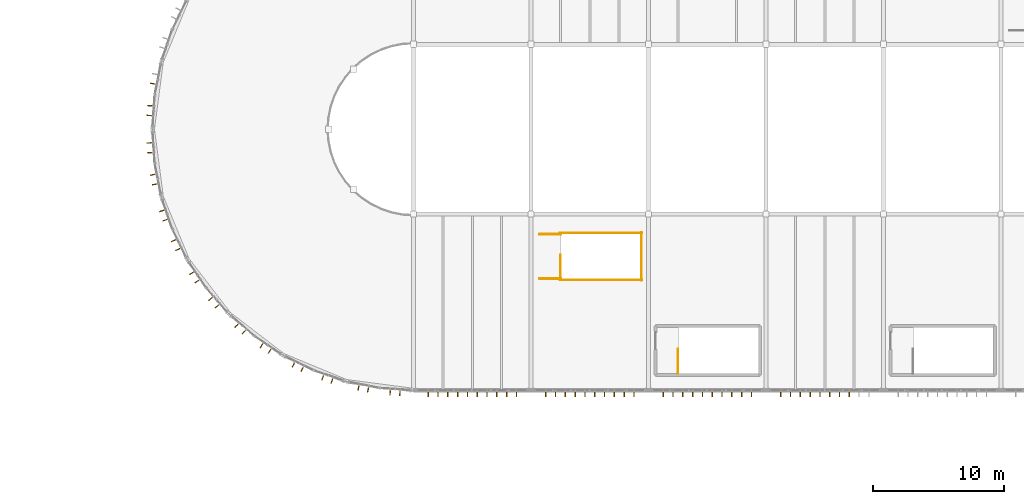
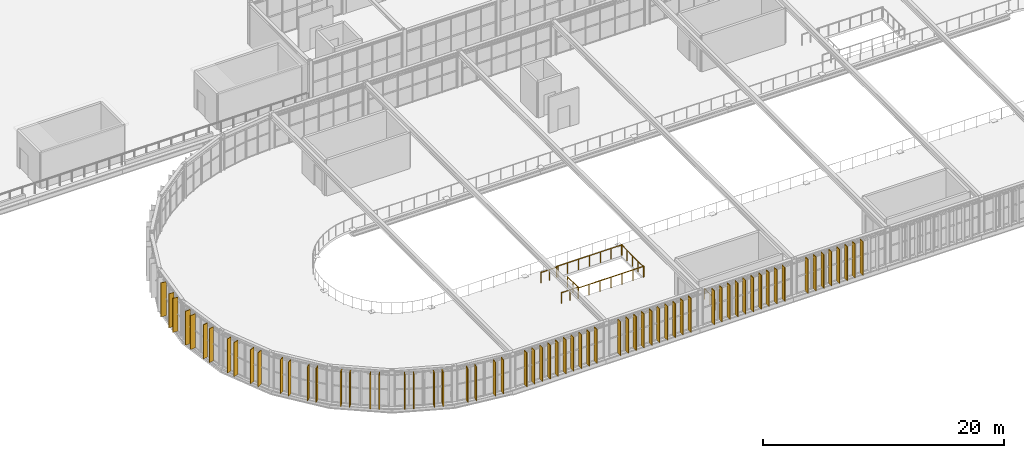
# One storey, part 141 of 152: 65 coverings, 7 railings.
"""IFC4 building model written with IfcOpenShell, lengths in metres."""

from ifc_helpers import new_model, si_unit, derived_unit, direction, frame, origin, origin_2d, place, context, subcontext, project, spatial, rectangle, circle, extrude, material, layer, layer_set, type_object, element, save


model = new_model("IFC4")

# Units and contexts
model_context = context("Model", 3, precision=1e-05, world=origin(), true_north=direction((0.0, 1.0)))
body_context = subcontext(model_context, "Body", "Model", "MODEL_VIEW")
ifc_project = project(units=[si_unit("LENGTHUNIT", "METRE"), si_unit("AREAUNIT", "SQUARE_METRE"), si_unit("VOLUMEUNIT", "CUBIC_METRE"), si_unit("PLANEANGLEUNIT", "RADIAN"), si_unit("MASSUNIT", "GRAM", prefix="KILO"), si_unit("THERMODYNAMICTEMPERATUREUNIT", "KELVIN"), si_unit("TIMEUNIT", "SECOND"), derived_unit("THERMALTRANSMITTANCEUNIT", [(si_unit("MASSUNIT", "GRAM", prefix="KILO"), 1), (si_unit("THERMODYNAMICTEMPERATUREUNIT", "KELVIN"), -1), (si_unit("TIMEUNIT", "SECOND"), -3)])], contexts=[model_context])

# Site, building, storey
site_placement = place(None, origin())
site = spatial("IfcSite", under=ifc_project, at=site_placement, CompositionType="ELEMENT")
building_placement = place(site_placement, origin())
building = spatial("IfcBuilding", under=site, at=building_placement, Name="Cambertide Market Hall", CompositionType="ELEMENT")
storey_placement = place(building_placement, frame((0.0, 0.0, 5.39990234375)))
storey = spatial("IfcBuildingStorey", under=building, at=storey_placement, Name="L02", CompositionType="ELEMENT", Elevation=5.39990234375)

# Railings
ifc_material_1 = material(Name="Stainless Steel Grade 316", Category="metal")
railing_type = type_object("IfcRailingType", Name="Stairwell Inner Guardrail 1100", PredefinedType="GUARDRAIL", material=ifc_material_1)
railing_1_placement = place(storey_placement, frame((62.25, 53.300048828125, 0.0)))
element("IfcRailing", 1, at=railing_1_placement, inside=storey, type_object=railing_type, Name="Level 2 ST-02 top well guard 1", PredefinedType="GUARDRAIL", context=body_context, shape_type="SweptSolid", body=[
    extrude(circle(Radius=0.02392578125, at=origin_2d()), frame((0.0, 0.0, 1.076171875), z_axis=(0.0, 1.0, 0.0), x_axis=(-1.0, 0.0, 0.0)), (0.0, 0.0, 1.0), 1.849853515625),
    extrude(circle(Radius=0.02099609375, at=origin_2d()), origin(), (0.0, 0.0, 1.0), 1.052001953125),
    extrude(circle(Radius=0.02099609375, at=origin_2d()), frame((0.0, 0.9248046875, 0.0)), (0.0, 0.0, 1.0), 1.052001953125),
    extrude(circle(Radius=0.02099609375, at=origin_2d()), frame((0.0, 1.849853515625, 0.0)), (0.0, 0.0, 1.0), 1.052001953125),
])
railing_2_placement = place(storey_placement, frame((53.25, 60.5, 0.0)))
element("IfcRailing", 2, at=railing_2_placement, inside=storey, type_object=railing_type, Name="Level 2 ST-10 top well guard 1", PredefinedType="GUARDRAIL", context=body_context, shape_type="SweptSolid", body=[
    extrude(circle(Radius=0.02392578125, at=origin_2d()), frame((0.0, 0.0, 1.076171875), z_axis=(0.0, 1.0, 0.0), x_axis=(-1.0, 0.0, 0.0)), (0.0, 0.0, 1.0), 1.85009765625),
    extrude(circle(Radius=0.02099609375, at=origin_2d()), origin(), (0.0, 0.0, 1.0), 1.052001953125),
    extrude(circle(Radius=0.02099609375, at=origin_2d()), frame((0.0, 0.925048828125, 0.0)), (0.0, 0.0, 1.0), 1.052001953125),
    extrude(circle(Radius=0.02099609375, at=origin_2d()), frame((0.0, 1.85009765625, 0.0)), (0.0, 0.0, 1.0), 1.052001953125),
])
for number, where, name in (
    (3, (53.199951171875, 60.449951171875, 0.0), "Level 2 ST-10 top well guard 2"),
    (4, (53.199951171875, 64.050048828125, 0.0), "Level 2 ST-10 top well guard 3"),
):
    element("IfcRailing", number, at=place(storey_placement, frame(where)), inside=storey, type_object=railing_type, Name=name, PredefinedType="GUARDRAIL", context=body_context, shape_type="SweptSolid", body=[
        extrude(circle(Radius=0.02392578125, at=origin_2d()), frame((0.0, 0.0, 1.076171875), z_axis=(1.0, 0.0, 0.0), x_axis=(0.0, 1.0, 0.0)), (0.0, 0.0, 1.0), 6.300048828125),
        extrude(circle(Radius=0.02099609375, at=origin_2d()), origin(), (0.0, 0.0, 1.0), 1.052001953125),
        extrude(circle(Radius=0.02099609375, at=origin_2d()), frame((1.050048828125, 0.0, 0.0)), (0.0, 0.0, 1.0), 1.052001953125),
        extrude(circle(Radius=0.02099609375, at=origin_2d()), frame((2.10009765625, 0.0, 0.0)), (0.0, 0.0, 1.0), 1.052001953125),
        extrude(circle(Radius=0.02099609375, at=origin_2d()), frame((3.14990234375, 0.0, 0.0)), (0.0, 0.0, 1.0), 1.052001953125),
        extrude(circle(Radius=0.02099609375, at=origin_2d()), frame((4.199951171875, 0.0, 0.0)), (0.0, 0.0, 1.0), 1.052001953125),
        extrude(circle(Radius=0.02099609375, at=origin_2d()), frame((5.25, 0.0, 0.0)), (0.0, 0.0, 1.0), 1.052001953125),
        extrude(circle(Radius=0.02099609375, at=origin_2d()), frame((6.300048828125, 0.0, 0.0)), (0.0, 0.0, 1.0), 1.052001953125),
    ])
railing_3_placement = place(storey_placement, frame((59.449951171875, 60.39990234375, 0.0)))
element("IfcRailing", 5, at=railing_3_placement, inside=storey, type_object=railing_type, Name="Level 2 ST-10 top well guard 4", PredefinedType="GUARDRAIL", context=body_context, shape_type="SweptSolid", body=[
    extrude(circle(Radius=0.02392578125, at=origin_2d()), frame((0.0, 0.0, 1.076171875), z_axis=(0.0, 1.0, 0.0), x_axis=(-1.0, 0.0, 0.0)), (0.0, 0.0, 1.0), 3.7001953125),
    extrude(circle(Radius=0.02099609375, at=origin_2d()), origin(), (0.0, 0.0, 1.0), 1.052001953125),
    extrude(circle(Radius=0.02099609375, at=origin_2d()), frame((0.0, 0.925048828125, 0.0)), (0.0, 0.0, 1.0), 1.052001953125),
    extrude(circle(Radius=0.02099609375, at=origin_2d()), frame((0.0, 1.85009765625, 0.0)), (0.0, 0.0, 1.0), 1.052001953125),
    extrude(circle(Radius=0.02099609375, at=origin_2d()), frame((0.0, 2.775146484375, 0.0)), (0.0, 0.0, 1.0), 1.052001953125),
    extrude(circle(Radius=0.02099609375, at=origin_2d()), frame((0.0, 3.7001953125, 0.0)), (0.0, 0.0, 1.0), 1.052001953125),
])
for number, where, name in (
    (6, (51.64990234375, 60.550048828125, 0.0), "Level 2 ST-10 top well guard 5"),
    (7, (51.64990234375, 63.949951171875, 0.0), "Level 2 ST-10 top well guard 6"),
):
    element("IfcRailing", number, at=place(storey_placement, frame(where)), inside=storey, type_object=railing_type, Name=name, PredefinedType="GUARDRAIL", context=body_context, shape_type="SweptSolid", body=[
        extrude(circle(Radius=0.02392578125, at=origin_2d()), frame((0.0, 0.0, 1.076171875), z_axis=(1.0, 0.0, 0.0), x_axis=(0.0, 1.0, 0.0)), (0.0, 0.0, 1.0), 1.650146484375),
        extrude(circle(Radius=0.02099609375, at=origin_2d()), origin(), (0.0, 0.0, 1.0), 1.052001953125),
        extrude(circle(Radius=0.02099609375, at=origin_2d()), frame((0.8251953125, 0.0, 0.0)), (0.0, 0.0, 1.0), 1.052001953125),
        extrude(circle(Radius=0.02099609375, at=origin_2d()), frame((1.650146484375, 0.0, 0.0)), (0.0, 0.0, 1.0), 1.052001953125),
    ])

# Coverings
ifc_material_2 = material(Name="White Marine Anodized Aluminium 6063-T6 AA25", Category="aluminium")
ifc_layer = layer(ifc_material_2, 0.06005859375, Name="White Anodized Lantern Vertical Fin 480x60")
ifc_layer_set = layer_set([ifc_layer], Name="White Marine Anodized Aluminium 6063-T6 AA25")
covering_type = type_object("IfcCoveringType", Name="White Anodized Lantern Vertical Fin 480x60", PredefinedType="CLADDING", material=ifc_layer_set)
for number, where, z_axis, x_axis, name in (
    (8, (49.875, 51.739990234375, 0.0), (0.0, 0.0, 1.0), (-1.0, 0.0, 0.0), "CW-V1S-L02-1 Vertical Fin 1"),
    (9, (49.125, 51.739990234375, 0.0), (0.0, 0.0, 1.0), (-1.0, 0.0, 0.0), "CW-V1S-L02-1 Vertical Fin 2"),
    (10, (48.375, 51.739990234375, 0.0), (0.0, 0.0, 1.0), (-1.0, 0.0, 0.0), "CW-V1S-L02-1 Vertical Fin 3"),
    (11, (47.625, 51.739990234375, 0.0), (0.0, 0.0, 1.0), (-1.0, 0.0, 0.0), "CW-V1S-L02-1 Vertical Fin 4"),
    (12, (46.875, 51.739990234375, 0.0), (0.0, 0.0, 1.0), (-1.0, 0.0, 0.0), "CW-V1S-L02-1 Vertical Fin 5"),
    (13, (46.125, 51.739990234375, 0.0), (0.0, 0.0, 1.0), (-1.0, 0.0, 0.0), "CW-V1S-L02-1 Vertical Fin 6"),
    (14, (45.375, 51.739990234375, 0.0), (0.0, 0.0, 1.0), (-1.0, 0.0, 0.0), "CW-V1S-L02-1 Vertical Fin 7"),
    (15, (44.625, 51.739990234375, 0.0), (0.0, 0.0, 1.0), (-1.0, 0.0, 0.0), "CW-V1S-L02-1 Vertical Fin 8"),
    (16, (43.875, 51.739990234375, 0.0), (0.0, 0.0, 1.0), (-1.0, 0.0, 0.0), "CW-V1S-L02-1 Vertical Fin 9"),
    (17, (43.125, 51.739990234375, 0.0), (0.0, 0.0, 1.0), (-1.0, 0.0, 0.0), "CW-V1S-L02-1 Vertical Fin 10"),
    (18, (58.875, 51.739990234375, 0.0), (0.0, 0.0, 1.0), (-1.0, 0.0, 0.0), "CW-V1S-L02-2 Vertical Fin 1"),
    (19, (58.125, 51.739990234375, 0.0), (0.0, 0.0, 1.0), (-1.0, 0.0, 0.0), "CW-V1S-L02-2 Vertical Fin 2"),
    (20, (57.375, 51.739990234375, 0.0), (0.0, 0.0, 1.0), (-1.0, 0.0, 0.0), "CW-V1S-L02-2 Vertical Fin 3"),
    (21, (56.625, 51.739990234375, 0.0), (0.0, 0.0, 1.0), (-1.0, 0.0, 0.0), "CW-V1S-L02-2 Vertical Fin 4"),
    (22, (55.875, 51.739990234375, 0.0), (0.0, 0.0, 1.0), (-1.0, 0.0, 0.0), "CW-V1S-L02-2 Vertical Fin 5"),
    (23, (55.125, 51.739990234375, 0.0), (0.0, 0.0, 1.0), (-1.0, 0.0, 0.0), "CW-V1S-L02-2 Vertical Fin 6"),
    (24, (54.375, 51.739990234375, 0.0), (0.0, 0.0, 1.0), (-1.0, 0.0, 0.0), "CW-V1S-L02-2 Vertical Fin 7"),
    (25, (53.625, 51.739990234375, 0.0), (0.0, 0.0, 1.0), (-1.0, 0.0, 0.0), "CW-V1S-L02-2 Vertical Fin 8"),
    (26, (52.875, 51.739990234375, 0.0), (0.0, 0.0, 1.0), (-1.0, 0.0, 0.0), "CW-V1S-L02-2 Vertical Fin 9"),
    (27, (52.125, 51.739990234375, 0.0), (0.0, 0.0, 1.0), (-1.0, 0.0, 0.0), "CW-V1S-L02-2 Vertical Fin 10"),
    (28, (67.875, 51.739990234375, 0.0), (0.0, 0.0, 1.0), (-1.0, 0.0, 0.0), "CW-V1S-L02-3 Vertical Fin 1"),
    (29, (67.125, 51.739990234375, 0.0), (0.0, 0.0, 1.0), (-1.0, 0.0, 0.0), "CW-V1S-L02-3 Vertical Fin 2"),
    (30, (66.375, 51.739990234375, 0.0), (0.0, 0.0, 1.0), (-1.0, 0.0, 0.0), "CW-V1S-L02-3 Vertical Fin 3"),
    (31, (65.625, 51.739990234375, 0.0), (0.0, 0.0, 1.0), (-1.0, 0.0, 0.0), "CW-V1S-L02-3 Vertical Fin 4"),
    (32, (64.875, 51.739990234375, 0.0), (0.0, 0.0, 1.0), (-1.0, 0.0, 0.0), "CW-V1S-L02-3 Vertical Fin 5"),
    (33, (64.125, 51.739990234375, 0.0), (0.0, 0.0, 1.0), (-1.0, 0.0, 0.0), "CW-V1S-L02-3 Vertical Fin 6"),
    (34, (63.375, 51.739990234375, 0.0), (0.0, 0.0, 1.0), (-1.0, 0.0, 0.0), "CW-V1S-L02-3 Vertical Fin 7"),
    (35, (62.625, 51.739990234375, 0.0), (0.0, 0.0, 1.0), (-1.0, 0.0, 0.0), "CW-V1S-L02-3 Vertical Fin 8"),
    (36, (61.875, 51.739990234375, 0.0), (0.0, 0.0, 1.0), (-1.0, 0.0, 0.0), "CW-V1S-L02-3 Vertical Fin 9"),
    (37, (61.125, 51.739990234375, 0.0), (0.0, 0.0, 1.0), (-1.0, 0.0, 0.0), "CW-V1S-L02-3 Vertical Fin 10"),
    (38, (75.375, 51.739990234375, 0.0), (0.0, 0.0, 1.0), (-1.0, 0.0, 0.0), "CW-V1S-L02-4 Vertical Fin 3"),
    (39, (74.625, 51.739990234375, 0.0), (0.0, 0.0, 1.0), (-1.0, 0.0, 0.0), "CW-V1S-L02-4 Vertical Fin 4"),
    (40, (73.875, 51.739990234375, 0.0), (0.0, 0.0, 1.0), (-1.0, 0.0, 0.0), "CW-V1S-L02-4 Vertical Fin 5"),
    (41, (73.125, 51.739990234375, 0.0), (0.0, 0.0, 1.0), (-1.0, 0.0, 0.0), "CW-V1S-L02-4 Vertical Fin 6"),
    (42, (72.375, 51.739990234375, 0.0), (0.0, 0.0, 1.0), (-1.0, 0.0, 0.0), "CW-V1S-L02-4 Vertical Fin 7"),
    (43, (71.625, 51.739990234375, 0.0), (0.0, 0.0, 1.0), (-1.0, 0.0, 0.0), "CW-V1S-L02-4 Vertical Fin 8"),
    (44, (70.875, 51.739990234375, 0.0), (0.0, 0.0, 1.0), (-1.0, 0.0, 0.0), "CW-V1S-L02-4 Vertical Fin 9"),
    (45, (70.125, 51.739990234375, 0.0), (0.0, 0.0, 1.0), (-1.0, 0.0, 0.0), "CW-V1S-L02-4 Vertical Fin 10"),
    (46, (22.07861328125, 75.478271484375, 0.0), (0.0, 0.0, 1.0), (0.195090068226, 0.980785330885, 0.0), "CW-V1AW-L02-11 Vertical Fin 1"),
    (47, (21.80810546875, 73.0478515625, 0.0), (0.0, 0.0, 1.0), (0.065403211921, 0.997858917819, 0.0), "CW-V1AW-L02-12 Vertical Fin 1"),
    (48, (21.857177734375, 73.796142578125, 0.0), (0.0, 0.0, 1.0), (0.065403211921, 0.997858917819, 0.0), "CW-V1AW-L02-12 Vertical Fin 2"),
    (49, (21.857177734375, 70.203857421875, 0.0), (0.0, 0.0, 1.0), (-0.065403211921, 0.997858917819, 0.0), "CW-V1AW-L02-13 Vertical Fin 1"),
    (50, (21.80810546875, 70.9521484375, 0.0), (0.0, 0.0, 1.0), (-0.065403211921, 0.997858917819, 0.0), "CW-V1AW-L02-13 Vertical Fin 2"),
    (51, (22.224853515625, 67.7861328125, 0.0), (0.0, 0.0, 1.0), (-0.195090068226, 0.980785330885, 0.0), "CW-V1AW-L02-14 Vertical Fin 1"),
    (52, (22.07861328125, 68.521728515625, 0.0), (0.0, 0.0, 1.0), (-0.195090068226, 0.980785330885, 0.0), "CW-V1AW-L02-14 Vertical Fin 2"),
    (53, (23.008544921875, 65.051513671875, 0.0), (0.0, 0.0, 1.0), (-0.32143947831, 0.94693012508, 0.0), "CW-V1AW-L02-15 Vertical Fin 1"),
    (54, (22.767333984375, 65.76171875, 0.0), (0.0, 0.0, 1.0), (-0.32143947831, 0.94693012508, 0.0), "CW-V1AW-L02-15 Vertical Fin 2"),
    (55, (23.989501953125, 62.8115234375, 0.0), (0.0, 0.0, 1.0), (-0.442288874522, 0.896872650645, 0.0), "CW-V1AW-L02-16 Vertical Fin 1"),
    (56, (23.65771484375, 63.484130859375, 0.0), (0.0, 0.0, 1.0), (-0.442288874522, 0.896872650645, 0.0), "CW-V1AW-L02-16 Vertical Fin 2"),
    (57, (25.453857421875, 60.373046875, 0.0), (0.0, 0.0, 1.0), (-0.555570087582, 0.831469709481, 0.0), "CW-V1AW-L02-17 Vertical Fin 1"),
    (58, (25.037353515625, 60.99658203125, 0.0), (0.0, 0.0, 1.0), (-0.555570087582, 0.831469709481, 0.0), "CW-V1AW-L02-17 Vertical Fin 2"),
    (59, (26.981201171875, 58.463134765625, 0.0), (0.0, 0.0, 1.0), (-0.659345784014, 0.751839834741, 0.0), "CW-V1AW-L02-18 Vertical Fin 1"),
    (60, (26.48681640625, 59.027099609375, 0.0), (0.0, 0.0, 1.0), (-0.659345784014, 0.751839834741, 0.0), "CW-V1AW-L02-18 Vertical Fin 2"),
    (61, (29.027099609375, 56.48681640625, 0.0), (0.0, 0.0, 1.0), (-0.751839834741, 0.659345784014, 0.0), "CW-V1AW-L02-19 Vertical Fin 1"),
    (62, (28.463134765625, 56.981201171875, 0.0), (0.0, 0.0, 1.0), (-0.751839834741, 0.659345784014, 0.0), "CW-V1AW-L02-19 Vertical Fin 2"),
    (63, (30.99658203125, 55.037353515625, 0.0), (0.0, 0.0, 1.0), (-0.831469709481, 0.555570087582, 0.0), "CW-V1AW-L02-20 Vertical Fin 1"),
    (64, (30.373046875, 55.453857421875, 0.0), (0.0, 0.0, 1.0), (-0.831469709481, 0.555570087582, 0.0), "CW-V1AW-L02-20 Vertical Fin 2"),
    (65, (33.484130859375, 53.65771484375, 0.0), (0.0, 0.0, 1.0), (-0.896872650645, 0.442288874522, 0.0), "CW-V1AW-L02-21 Vertical Fin 1"),
    (66, (32.8115234375, 53.989501953125, 0.0), (0.0, 0.0, 1.0), (-0.896872650645, 0.442288874522, 0.0), "CW-V1AW-L02-21 Vertical Fin 2"),
    (67, (35.76171875, 52.767333984375, 0.0), (0.0, 0.0, 1.0), (-0.94693012508, 0.32143947831, 0.0), "CW-V1AW-L02-22 Vertical Fin 1"),
    (68, (35.051513671875, 53.008544921875, 0.0), (0.0, 0.0, 1.0), (-0.94693012508, 0.32143947831, 0.0), "CW-V1AW-L02-22 Vertical Fin 2"),
    (69, (38.521728515625, 52.07861328125, 0.0), (0.0, 0.0, 1.0), (-0.980785330885, 0.195090068226, 0.0), "CW-V1AW-L02-23 Vertical Fin 1"),
    (70, (37.7861328125, 52.224853515625, 0.0), (0.0, 0.0, 1.0), (-0.980785330885, 0.195090068226, 0.0), "CW-V1AW-L02-23 Vertical Fin 2"),
    (71, (40.9521484375, 51.80810546875, 0.0), (0.0, 0.0, 1.0), (-0.997858917819, 0.065403211921, 0.0), "CW-V1AW-L02-24 Vertical Fin 1"),
    (72, (40.203857421875, 51.857177734375, 0.0), (0.0, 0.0, 1.0), (-0.997858917819, 0.065403211921, 0.0), "CW-V1AW-L02-24 Vertical Fin 2"),
):
    element("IfcCovering", number, at=place(storey_placement, frame(where, z_axis=z_axis, x_axis=x_axis)), inside=storey, type_object=covering_type, Name=name, PredefinedType="CLADDING", context=body_context, shape_type="SweptSolid", body=[
        extrude(rectangle(XDim=0.06005859375, YDim=0.47998046875, at=origin_2d()), origin(), (0.0, 0.0, 1.0), 3.449951171875),
    ])

save(model, "model.ifc")
